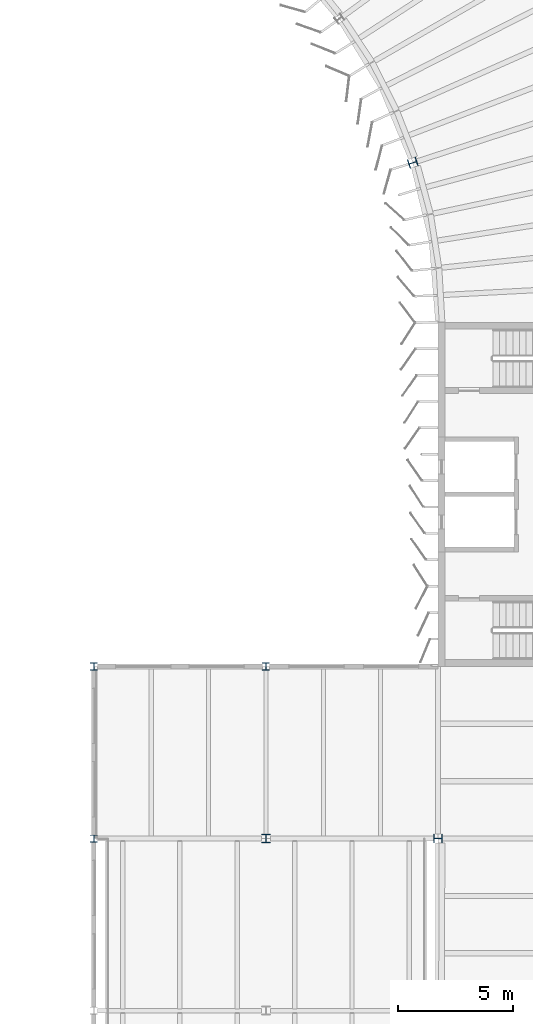
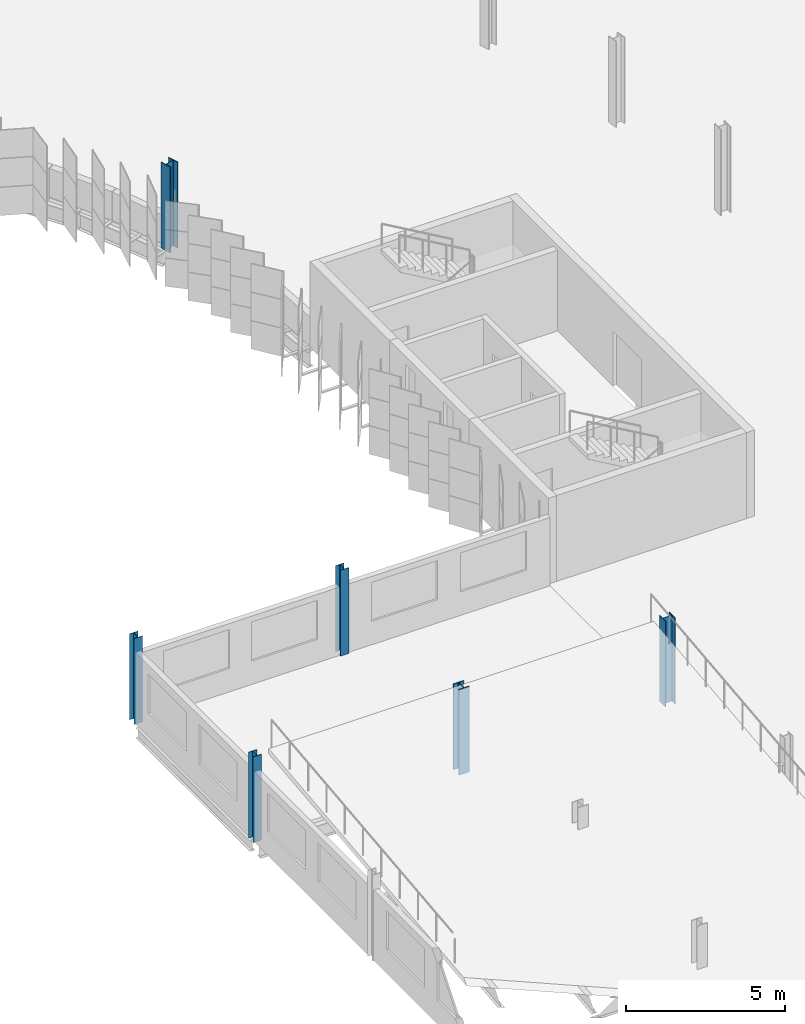
# One storey, part 26 of 214: 6 columns.
"""IFC4 building model written with IfcOpenShell, lengths in metres."""

from ifc_helpers import new_model, si_unit, direction, frame, origin, origin_2d, place, context, subcontext, project, spatial, i_section, extrude, material, material_profile, profile_set, type_object, element, save


model = new_model("IFC4")

# Units and contexts
model_context = context("Model", 3, precision=1e-05, world=origin(), true_north=direction((0.0, 1.0)))
body_context = subcontext(model_context, "Body", "Model", "MODEL_VIEW")
ifc_project = project(units=[si_unit("LENGTHUNIT", "METRE"), si_unit("AREAUNIT", "SQUARE_METRE"), si_unit("VOLUMEUNIT", "CUBIC_METRE"), si_unit("PLANEANGLEUNIT", "RADIAN"), si_unit("MASSUNIT", "GRAM", prefix="KILO")], contexts=[model_context])

# Site, building, storey
site_placement = place(None, origin())
site = spatial("IfcSite", under=ifc_project, at=site_placement, CompositionType="ELEMENT")
building_placement = place(site_placement, origin())
building = spatial("IfcBuilding", under=site, at=building_placement, Name="Parallax Yard Mobility Hub", CompositionType="ELEMENT")
storey_placement = place(building_placement, frame((0.0, 0.0, 3.300048828125)))
storey = spatial("IfcBuildingStorey", under=building, at=storey_placement, Name="L01", CompositionType="ELEMENT", Elevation=3.300048828125)

# Columns
ifc_material = material(Name="Steel ASTM A992", Category="steel")
ifc_material_profile_1 = material_profile(ifc_material, i_section(OverallWidth=0.304931640625, OverallDepth=0.306884765625, WebThickness=0.010009765625, FlangeThickness=0.015380859375, FilletRadius=0.01513671875, at=origin_2d()), Name="W310x97")
ifc_profile_set_1 = profile_set([ifc_material_profile_1], Name="Steel ASTM A992")
column_type_1 = type_object("IfcColumnType", Name="W310x97 column", PredefinedType="COLUMN", material=ifc_profile_set_1)
for number, where, z_axis, x_axis, name in (
    (1, (180.0, 67.5, 0.0), (0.0, 0.0, 1.0), (1.0, 0.0, 0.0), "Column C1 level L01 at K/25 of ramp house"),
    (2, (180.0, 75.0, 0.0), (0.0, 0.0, 1.0), (1.0, 0.0, 0.0), "Column C1 level L01 at L/25 of ramp house"),
    (3, (187.5, 75.0, 0.0), (0.0, 0.0, 1.0), (1.0, 0.0, 0.0), "Column C1 level L01 at L/26 of ramp house"),
):
    element("IfcColumn", number, at=place(storey_placement, frame(where, z_axis=z_axis, x_axis=x_axis)), inside=storey, type_object=column_type_1, Name=name, PredefinedType="COLUMN", context=body_context, shape_type="SweptSolid", body=[
        extrude(i_section(OverallWidth=0.304931640625, OverallDepth=0.306884765625, WebThickness=0.010009765625, FlangeThickness=0.015380859375, FilletRadius=0.01513671875, at=origin_2d()), origin(), (0.0, 0.0, 1.0), 3.300048828125),
    ])
ifc_material_profile_2 = material_profile(ifc_material, i_section(OverallWidth=0.373046875, OverallDepth=0.373046875, WebThickness=0.016357421875, FlangeThickness=0.026123046875, FilletRadius=0.01513671875, at=origin_2d()), Name="W360x196")
ifc_profile_set_2 = profile_set([ifc_material_profile_2], Name="Steel ASTM A992")
column_type_2 = type_object("IfcColumnType", Name="W360x196 column", PredefinedType="COLUMN", material=ifc_profile_set_2)
for number, where, z_axis, x_axis, name in (
    (4, (187.5, 67.5, 0.0), (0.0, 0.0, 1.0), (1.0, 0.0, 0.0), "Column C8 level L01 at K/26 of ramp house"),
    (5, (195.0, 67.5, 0.0), (0.0, 0.0, 1.0), (0.0, 1.0, 0.0), "Column C8 level L01 at K/27 of ramped parking decks"),
):
    element("IfcColumn", number, at=place(storey_placement, frame(where, z_axis=z_axis, x_axis=x_axis)), inside=storey, type_object=column_type_2, Name=name, PredefinedType="COLUMN", context=body_context, shape_type="SweptSolid", body=[
        extrude(i_section(OverallWidth=0.373046875, OverallDepth=0.373046875, WebThickness=0.016357421875, FlangeThickness=0.026123046875, FilletRadius=0.01513671875, at=origin_2d()), origin(), (0.0, 0.0, 1.0), 3.300048828125),
    ])
ifc_material_profile_3 = material_profile(ifc_material, i_section(OverallWidth=0.39404296875, OverallDepth=0.3759765625, WebThickness=0.017333984375, FlangeThickness=0.027587890625, FilletRadius=0.01513671875, at=origin_2d()), Name="W360x216")
ifc_profile_set_3 = profile_set([ifc_material_profile_3], Name="Steel ASTM A992")
column_type_3 = type_object("IfcColumnType", Name="W360x216 column", PredefinedType="COLUMN", material=ifc_profile_set_3)
column_placement = place(storey_placement, frame((193.898681640625, 96.952880859375, 0.0), z_axis=(0.0, 0.0, 1.0), x_axis=(-0.309016994375, 0.951056516295, 0.0)))
element("IfcColumn", 6, at=column_placement, inside=storey, type_object=column_type_3, Name="Column C9 level L01 at RA/R8 of ramped parking decks", PredefinedType="COLUMN", context=body_context, shape_type="SweptSolid", body=[
    extrude(i_section(OverallWidth=0.39404296875, OverallDepth=0.3759765625, WebThickness=0.017333984375, FlangeThickness=0.027587890625, FilletRadius=0.01513671875, at=origin_2d()), origin(), (0.0, 0.0, 1.0), 3.300048828125),
])

save(model, "model.ifc")
